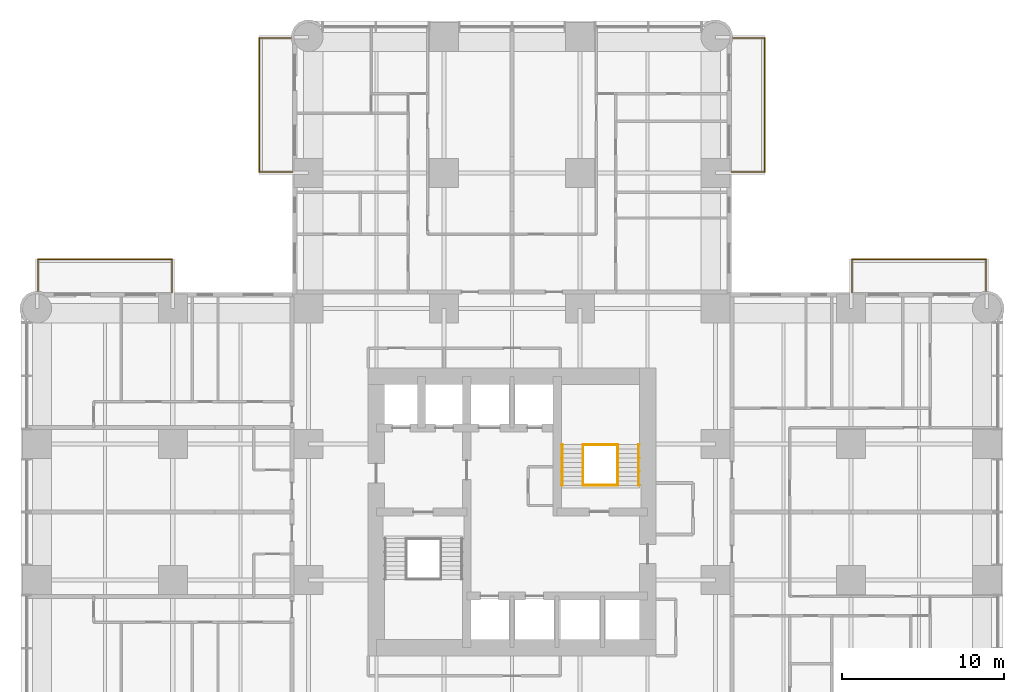
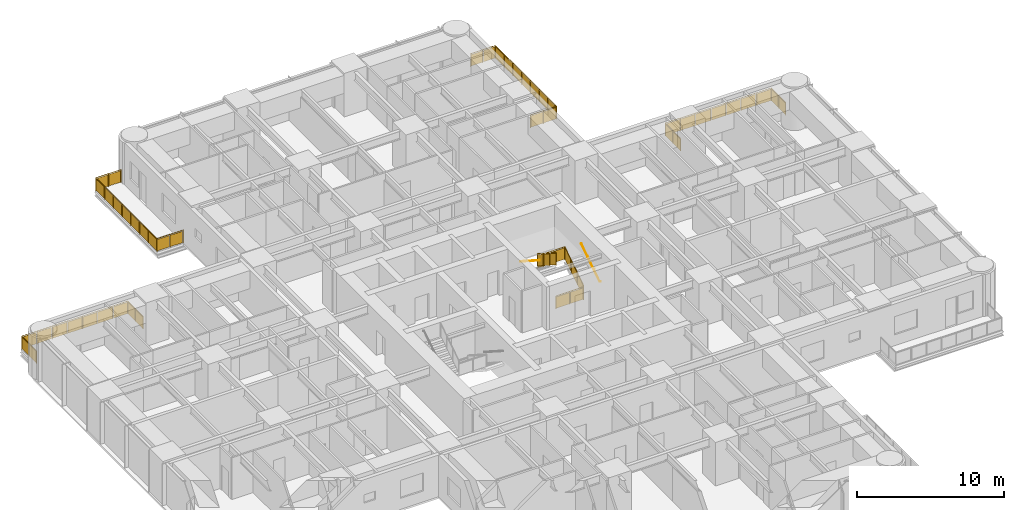
# One storey, part 17 of 17: 10 railings.
"""IFC4 building model written with IfcOpenShell, lengths in metres."""

from ifc_helpers import new_model, si_unit, direction, frame, origin, origin_2d, place, context, subcontext, project, spatial, polyline, circle, outline, extrude, material, constituent, constituent_set, type_object, element, save


model = new_model("IFC4")

# Units and contexts
model_context = context("Model", 3, precision=1e-05, world=origin(), true_north=direction((0.0, 1.0)))
body_context = subcontext(model_context, "Body", "Model", "MODEL_VIEW")
ifc_project = project(units=[si_unit("LENGTHUNIT", "METRE"), si_unit("AREAUNIT", "SQUARE_METRE"), si_unit("VOLUMEUNIT", "CUBIC_METRE"), si_unit("PLANEANGLEUNIT", "RADIAN"), si_unit("MASSUNIT", "GRAM", prefix="KILO")], contexts=[model_context])

# Site, building, storey
site_placement = place(None, origin())
site = spatial("IfcSite", under=ifc_project, at=site_placement, CompositionType="ELEMENT")
building_placement = place(site_placement, origin())
building = spatial("IfcBuilding", under=site, at=building_placement, Name="Torre Alcanfor", CompositionType="ELEMENT")
storey_placement = place(building_placement, frame((0.0, 0.0, 81.300048828125)))
storey = spatial("IfcBuildingStorey", under=building, at=storey_placement, Name="L20", CompositionType="ELEMENT", Elevation=81.300048828125)

# Railings
ifc_material_1 = material(Name="Laminated safety glass", Category="glass")
ifc_constituent_1 = constituent(ifc_material_1, Name="Infill")
ifc_material_2 = material(Name="Stainless steel ASTM A554 Grade MT 316L tube", Category="steel")
ifc_constituent_2 = constituent(ifc_material_2, Name="Posts and rail")
ifc_constituent_set = constituent_set(constituents=[ifc_constituent_1, ifc_constituent_2], Name="Balcony guard glass 1100")
railing_type_1 = type_object("IfcRailingType", Name="Balcony guard glass 1100", PredefinedType="BALUSTRADE", material=ifc_constituent_set)
railing_1_placement = place(storey_placement, frame((15.800048828125, 50.449951171875, 0.0)))
element("IfcRailing", 1, at=railing_1_placement, inside=storey, type_object=railing_type_1, Name="Balcony guard L20-N1", PredefinedType="BALUSTRADE", context=body_context, shape_type="SweptSolid", body=[
    extrude(circle(Radius=0.02392578125, at=origin_2d()), frame((0.0, 0.0, 1.076171875), z_axis=(-1.0, 0.0, 0.0), x_axis=(0.0, -1.0, 0.0)), (0.0, 0.0, 1.0), 2.050048828125),
    extrude(circle(Radius=0.02392578125, at=origin_2d()), frame((-2.050048828125, 0.0, 1.076171875), z_axis=(0.0, 1.0, 0.0), x_axis=(-1.0, 0.0, 0.0)), (0.0, 0.0, 1.0), 8.300048828125),
    extrude(circle(Radius=0.02392578125, at=origin_2d()), frame((-2.050048828125, 8.300048828125, 1.076171875), z_axis=(1.0, 0.0, 0.0), x_axis=(0.0, 1.0, 0.0)), (0.0, 0.0, 1.0), 1.968994140625),
    extrude(circle(Radius=0.02099609375, at=origin_2d()), origin(), (0.0, 0.0, 1.0), 1.052001953125),
    extrude(circle(Radius=0.02099609375, at=origin_2d()), frame((-1.02490234375, 0.0, 0.0)), (0.0, 0.0, 1.0), 1.052001953125),
    extrude(circle(Radius=0.02099609375, at=origin_2d()), frame((-2.050048828125, 0.0, 0.0)), (0.0, 0.0, 1.0), 1.052001953125),
    extrude(circle(Radius=0.02099609375, at=origin_2d()), frame((-2.050048828125, 1.185791015625, 0.0)), (0.0, 0.0, 1.0), 1.052001953125),
    extrude(circle(Radius=0.02099609375, at=origin_2d()), frame((-2.050048828125, 2.371337890625, 0.0)), (0.0, 0.0, 1.0), 1.052001953125),
    extrude(circle(Radius=0.02099609375, at=origin_2d()), frame((-2.050048828125, 3.55712890625, 0.0)), (0.0, 0.0, 1.0), 1.052001953125),
    extrude(circle(Radius=0.02099609375, at=origin_2d()), frame((-2.050048828125, 4.742919921875, 0.0)), (0.0, 0.0, 1.0), 1.052001953125),
    extrude(circle(Radius=0.02099609375, at=origin_2d()), frame((-2.050048828125, 5.9287109375, 0.0)), (0.0, 0.0, 1.0), 1.052001953125),
    extrude(circle(Radius=0.02099609375, at=origin_2d()), frame((-2.050048828125, 7.1142578125, 0.0)), (0.0, 0.0, 1.0), 1.052001953125),
    extrude(circle(Radius=0.02099609375, at=origin_2d()), frame((-2.050048828125, 8.300048828125, 0.0)), (0.0, 0.0, 1.0), 1.052001953125),
    extrude(circle(Radius=0.02099609375, at=origin_2d()), frame((-1.0654296875, 8.300048828125, 0.0)), (0.0, 0.0, 1.0), 1.052001953125),
    extrude(circle(Radius=0.02099609375, at=origin_2d()), frame((-0.0810546875, 8.300048828125, 0.0)), (0.0, 0.0, 1.0), 1.052001953125),
    extrude(outline(polyline([(0.041015625, 0.050048828125), (0.984130859375, 0.050048828125), (0.984130859375, 1.001953125), (0.041015625, 1.001953125), (0.041015625, 0.050048828125)])), frame((0.0, -0.005859375, 0.0), z_axis=(0.0, 1.0, 0.0), x_axis=(-1.0, 0.0, 0.0)), (0.0, 0.0, 1.0), 0.011962890625),
    extrude(outline(polyline([(1.06591796875, 0.050048828125), (2.009033203125, 0.050048828125), (2.009033203125, 1.001953125), (1.06591796875, 1.001953125), (1.06591796875, 0.050048828125)])), frame((0.0, -0.005859375, 0.0), z_axis=(0.0, 1.0, 0.0), x_axis=(-1.0, 0.0, 0.0)), (0.0, 0.0, 1.0), 0.011962890625),
    extrude(outline(polyline([(0.041015625, 0.050048828125), (1.144775390625, 0.050048828125), (1.144775390625, 1.001953125), (0.041015625, 1.001953125), (0.041015625, 0.050048828125)])), frame((-2.05615234375, 0.0, 0.0), z_axis=(1.0, 0.0, 0.0), x_axis=(0.0, 1.0, 0.0)), (0.0, 0.0, 1.0), 0.011962890625),
    extrude(outline(polyline([(1.226806640625, 0.050048828125), (2.330322265625, 0.050048828125), (2.330322265625, 1.001953125), (1.226806640625, 1.001953125), (1.226806640625, 0.050048828125)])), frame((-2.05615234375, 0.0, 0.0), z_axis=(1.0, 0.0, 0.0), x_axis=(0.0, 1.0, 0.0)), (0.0, 0.0, 1.0), 0.011962890625),
    extrude(outline(polyline([(2.412353515625, 0.050048828125), (3.51611328125, 0.050048828125), (3.51611328125, 1.001953125), (2.412353515625, 1.001953125), (2.412353515625, 0.050048828125)])), frame((-2.05615234375, 0.0, 0.0), z_axis=(1.0, 0.0, 0.0), x_axis=(0.0, 1.0, 0.0)), (0.0, 0.0, 1.0), 0.011962890625),
    extrude(outline(polyline([(3.59814453125, 0.050048828125), (4.701904296875, 0.050048828125), (4.701904296875, 1.001953125), (3.59814453125, 1.001953125), (3.59814453125, 0.050048828125)])), frame((-2.05615234375, 0.0, 0.0), z_axis=(1.0, 0.0, 0.0), x_axis=(0.0, 1.0, 0.0)), (0.0, 0.0, 1.0), 0.011962890625),
    extrude(outline(polyline([(4.783935546875, 0.050048828125), (5.8876953125, 0.050048828125), (5.8876953125, 1.001953125), (4.783935546875, 1.001953125), (4.783935546875, 0.050048828125)])), frame((-2.05615234375, 0.0, 0.0), z_axis=(1.0, 0.0, 0.0), x_axis=(0.0, 1.0, 0.0)), (0.0, 0.0, 1.0), 0.011962890625),
    extrude(outline(polyline([(5.9697265625, 0.050048828125), (7.0732421875, 0.050048828125), (7.0732421875, 1.001953125), (5.9697265625, 1.001953125), (5.9697265625, 0.050048828125)])), frame((-2.05615234375, 0.0, 0.0), z_axis=(1.0, 0.0, 0.0), x_axis=(0.0, 1.0, 0.0)), (0.0, 0.0, 1.0), 0.011962890625),
    extrude(outline(polyline([(7.1552734375, 0.050048828125), (8.259033203125, 0.050048828125), (8.259033203125, 1.001953125), (7.1552734375, 1.001953125), (7.1552734375, 0.050048828125)])), frame((-2.05615234375, 0.0, 0.0), z_axis=(1.0, 0.0, 0.0), x_axis=(0.0, 1.0, 0.0)), (0.0, 0.0, 1.0), 0.011962890625),
    extrude(outline(polyline([(0.041015625, 0.050048828125), (0.943603515625, 0.050048828125), (0.943603515625, 1.001953125), (0.041015625, 1.001953125), (0.041015625, 0.050048828125)])), frame((-2.050048828125, 8.30615234375, 0.0), z_axis=(0.0, -1.0, 0.0), x_axis=(1.0, 0.0, 0.0)), (0.0, 0.0, 1.0), 0.011962890625),
    extrude(outline(polyline([(1.025390625, 0.050048828125), (1.927978515625, 0.050048828125), (1.927978515625, 1.001953125), (1.025390625, 1.001953125), (1.025390625, 0.050048828125)])), frame((-2.050048828125, 8.30615234375, 0.0), z_axis=(0.0, -1.0, 0.0), x_axis=(1.0, 0.0, 0.0)), (0.0, 0.0, 1.0), 0.011962890625),
])
railing_2_placement = place(storey_placement, frame((43.0, 50.449951171875, 0.0)))
element("IfcRailing", 2, at=railing_2_placement, inside=storey, type_object=railing_type_1, Name="Balcony guard L20-N2", PredefinedType="BALUSTRADE", context=body_context, shape_type="SweptSolid", body=[
    extrude(circle(Radius=0.02392578125, at=origin_2d()), frame((0.0, 0.0, 1.076171875), z_axis=(1.0, 0.0, 0.0), x_axis=(0.0, 1.0, 0.0)), (0.0, 0.0, 1.0), 2.050048828125),
    extrude(circle(Radius=0.02392578125, at=origin_2d()), frame((2.050048828125, 0.0, 1.076171875), z_axis=(0.0, 1.0, 0.0), x_axis=(-1.0, 0.0, 0.0)), (0.0, 0.0, 1.0), 8.300048828125),
    extrude(circle(Radius=0.02392578125, at=origin_2d()), frame((2.050048828125, 8.300048828125, 1.076171875), z_axis=(-1.0, 0.0, 0.0), x_axis=(0.0, -1.0, 0.0)), (0.0, 0.0, 1.0), 1.968994140625),
    extrude(circle(Radius=0.02099609375, at=origin_2d()), origin(), (0.0, 0.0, 1.0), 1.052001953125),
    extrude(circle(Radius=0.02099609375, at=origin_2d()), frame((1.02490234375, 0.0, 0.0)), (0.0, 0.0, 1.0), 1.052001953125),
    extrude(circle(Radius=0.02099609375, at=origin_2d()), frame((2.050048828125, 0.0, 0.0)), (0.0, 0.0, 1.0), 1.052001953125),
    extrude(circle(Radius=0.02099609375, at=origin_2d()), frame((2.050048828125, 1.185791015625, 0.0)), (0.0, 0.0, 1.0), 1.052001953125),
    extrude(circle(Radius=0.02099609375, at=origin_2d()), frame((2.050048828125, 2.371337890625, 0.0)), (0.0, 0.0, 1.0), 1.052001953125),
    extrude(circle(Radius=0.02099609375, at=origin_2d()), frame((2.050048828125, 3.55712890625, 0.0)), (0.0, 0.0, 1.0), 1.052001953125),
    extrude(circle(Radius=0.02099609375, at=origin_2d()), frame((2.050048828125, 4.742919921875, 0.0)), (0.0, 0.0, 1.0), 1.052001953125),
    extrude(circle(Radius=0.02099609375, at=origin_2d()), frame((2.050048828125, 5.9287109375, 0.0)), (0.0, 0.0, 1.0), 1.052001953125),
    extrude(circle(Radius=0.02099609375, at=origin_2d()), frame((2.050048828125, 7.1142578125, 0.0)), (0.0, 0.0, 1.0), 1.052001953125),
    extrude(circle(Radius=0.02099609375, at=origin_2d()), frame((2.050048828125, 8.300048828125, 0.0)), (0.0, 0.0, 1.0), 1.052001953125),
    extrude(circle(Radius=0.02099609375, at=origin_2d()), frame((1.0654296875, 8.300048828125, 0.0)), (0.0, 0.0, 1.0), 1.052001953125),
    extrude(circle(Radius=0.02099609375, at=origin_2d()), frame((0.0810546875, 8.300048828125, 0.0)), (0.0, 0.0, 1.0), 1.052001953125),
    extrude(outline(polyline([(0.041015625, 0.050048828125), (0.984130859375, 0.050048828125), (0.984130859375, 1.001953125), (0.041015625, 1.001953125), (0.041015625, 0.050048828125)])), frame((0.0, 0.005859375, 0.0), z_axis=(0.0, -1.0, 0.0), x_axis=(1.0, 0.0, 0.0)), (0.0, 0.0, 1.0), 0.011962890625),
    extrude(outline(polyline([(1.06591796875, 0.050048828125), (2.009033203125, 0.050048828125), (2.009033203125, 1.001953125), (1.06591796875, 1.001953125), (1.06591796875, 0.050048828125)])), frame((0.0, 0.005859375, 0.0), z_axis=(0.0, -1.0, 0.0), x_axis=(1.0, 0.0, 0.0)), (0.0, 0.0, 1.0), 0.011962890625),
    extrude(outline(polyline([(0.041015625, 0.050048828125), (1.144775390625, 0.050048828125), (1.144775390625, 1.001953125), (0.041015625, 1.001953125), (0.041015625, 0.050048828125)])), frame((2.0439453125, 0.0, 0.0), z_axis=(1.0, 0.0, 0.0), x_axis=(0.0, 1.0, 0.0)), (0.0, 0.0, 1.0), 0.011962890625),
    extrude(outline(polyline([(1.226806640625, 0.050048828125), (2.330322265625, 0.050048828125), (2.330322265625, 1.001953125), (1.226806640625, 1.001953125), (1.226806640625, 0.050048828125)])), frame((2.0439453125, 0.0, 0.0), z_axis=(1.0, 0.0, 0.0), x_axis=(0.0, 1.0, 0.0)), (0.0, 0.0, 1.0), 0.011962890625),
    extrude(outline(polyline([(2.412353515625, 0.050048828125), (3.51611328125, 0.050048828125), (3.51611328125, 1.001953125), (2.412353515625, 1.001953125), (2.412353515625, 0.050048828125)])), frame((2.0439453125, 0.0, 0.0), z_axis=(1.0, 0.0, 0.0), x_axis=(0.0, 1.0, 0.0)), (0.0, 0.0, 1.0), 0.011962890625),
    extrude(outline(polyline([(3.59814453125, 0.050048828125), (4.701904296875, 0.050048828125), (4.701904296875, 1.001953125), (3.59814453125, 1.001953125), (3.59814453125, 0.050048828125)])), frame((2.0439453125, 0.0, 0.0), z_axis=(1.0, 0.0, 0.0), x_axis=(0.0, 1.0, 0.0)), (0.0, 0.0, 1.0), 0.011962890625),
    extrude(outline(polyline([(4.783935546875, 0.050048828125), (5.8876953125, 0.050048828125), (5.8876953125, 1.001953125), (4.783935546875, 1.001953125), (4.783935546875, 0.050048828125)])), frame((2.0439453125, 0.0, 0.0), z_axis=(1.0, 0.0, 0.0), x_axis=(0.0, 1.0, 0.0)), (0.0, 0.0, 1.0), 0.011962890625),
    extrude(outline(polyline([(5.9697265625, 0.050048828125), (7.0732421875, 0.050048828125), (7.0732421875, 1.001953125), (5.9697265625, 1.001953125), (5.9697265625, 0.050048828125)])), frame((2.0439453125, 0.0, 0.0), z_axis=(1.0, 0.0, 0.0), x_axis=(0.0, 1.0, 0.0)), (0.0, 0.0, 1.0), 0.011962890625),
    extrude(outline(polyline([(7.1552734375, 0.050048828125), (8.259033203125, 0.050048828125), (8.259033203125, 1.001953125), (7.1552734375, 1.001953125), (7.1552734375, 0.050048828125)])), frame((2.0439453125, 0.0, 0.0), z_axis=(1.0, 0.0, 0.0), x_axis=(0.0, 1.0, 0.0)), (0.0, 0.0, 1.0), 0.011962890625),
    extrude(outline(polyline([(0.041015625, 0.050048828125), (0.943603515625, 0.050048828125), (0.943603515625, 1.001953125), (0.041015625, 1.001953125), (0.041015625, 0.050048828125)])), frame((2.050048828125, 8.2939453125, 0.0), z_axis=(0.0, 1.0, 0.0), x_axis=(-1.0, 0.0, 0.0)), (0.0, 0.0, 1.0), 0.011962890625),
    extrude(outline(polyline([(1.025390625, 0.050048828125), (1.927978515625, 0.050048828125), (1.927978515625, 1.001953125), (1.025390625, 1.001953125), (1.025390625, 0.050048828125)])), frame((2.050048828125, 8.2939453125, 0.0), z_axis=(0.0, 1.0, 0.0), x_axis=(-1.0, 0.0, 0.0)), (0.0, 0.0, 1.0), 0.011962890625),
])
railing_3_placement = place(storey_placement, frame((50.449951171875, 43.0, 0.0)))
element("IfcRailing", 3, at=railing_3_placement, inside=storey, type_object=railing_type_1, Name="Balcony guard L20-E1", PredefinedType="BALUSTRADE", context=body_context, shape_type="SweptSolid", body=[
    extrude(circle(Radius=0.02392578125, at=origin_2d()), frame((0.0, 0.0, 1.076171875), z_axis=(0.0, 1.0, 0.0), x_axis=(-1.0, 0.0, 0.0)), (0.0, 0.0, 1.0), 2.050048828125),
    extrude(circle(Radius=0.02392578125, at=origin_2d()), frame((0.0, 2.050048828125, 1.076171875), z_axis=(1.0, 0.0, 0.0), x_axis=(0.0, 1.0, 0.0)), (0.0, 0.0, 1.0), 8.300048828125),
    extrude(circle(Radius=0.02392578125, at=origin_2d()), frame((8.300048828125, 2.050048828125, 1.076171875), z_axis=(0.0, -1.0, 0.0), x_axis=(1.0, 0.0, 0.0)), (0.0, 0.0, 1.0), 1.968994140625),
    extrude(circle(Radius=0.02099609375, at=origin_2d()), origin(), (0.0, 0.0, 1.0), 1.052001953125),
    extrude(circle(Radius=0.02099609375, at=origin_2d()), frame((0.0, 1.02490234375, 0.0)), (0.0, 0.0, 1.0), 1.052001953125),
    extrude(circle(Radius=0.02099609375, at=origin_2d()), frame((0.0, 2.050048828125, 0.0)), (0.0, 0.0, 1.0), 1.052001953125),
    extrude(circle(Radius=0.02099609375, at=origin_2d()), frame((1.185791015625, 2.050048828125, 0.0)), (0.0, 0.0, 1.0), 1.052001953125),
    extrude(circle(Radius=0.02099609375, at=origin_2d()), frame((2.371337890625, 2.050048828125, 0.0)), (0.0, 0.0, 1.0), 1.052001953125),
    extrude(circle(Radius=0.02099609375, at=origin_2d()), frame((3.55712890625, 2.050048828125, 0.0)), (0.0, 0.0, 1.0), 1.052001953125),
    extrude(circle(Radius=0.02099609375, at=origin_2d()), frame((4.742919921875, 2.050048828125, 0.0)), (0.0, 0.0, 1.0), 1.052001953125),
    extrude(circle(Radius=0.02099609375, at=origin_2d()), frame((5.9287109375, 2.050048828125, 0.0)), (0.0, 0.0, 1.0), 1.052001953125),
    extrude(circle(Radius=0.02099609375, at=origin_2d()), frame((7.1142578125, 2.050048828125, 0.0)), (0.0, 0.0, 1.0), 1.052001953125),
    extrude(circle(Radius=0.02099609375, at=origin_2d()), frame((8.300048828125, 2.050048828125, 0.0)), (0.0, 0.0, 1.0), 1.052001953125),
    extrude(circle(Radius=0.02099609375, at=origin_2d()), frame((8.300048828125, 1.0654296875, 0.0)), (0.0, 0.0, 1.0), 1.052001953125),
    extrude(circle(Radius=0.02099609375, at=origin_2d()), frame((8.300048828125, 0.0810546875, 0.0)), (0.0, 0.0, 1.0), 1.052001953125),
    extrude(outline(polyline([(0.041015625, 0.050048828125), (0.984130859375, 0.050048828125), (0.984130859375, 1.001953125), (0.041015625, 1.001953125), (0.041015625, 0.050048828125)])), frame((-0.005859375, 0.0, 0.0), z_axis=(1.0, 0.0, 0.0), x_axis=(0.0, 1.0, 0.0)), (0.0, 0.0, 1.0), 0.011962890625),
    extrude(outline(polyline([(1.06591796875, 0.050048828125), (2.009033203125, 0.050048828125), (2.009033203125, 1.001953125), (1.06591796875, 1.001953125), (1.06591796875, 0.050048828125)])), frame((-0.005859375, 0.0, 0.0), z_axis=(1.0, 0.0, 0.0), x_axis=(0.0, 1.0, 0.0)), (0.0, 0.0, 1.0), 0.011962890625),
    extrude(outline(polyline([(0.041015625, 0.050048828125), (1.144775390625, 0.050048828125), (1.144775390625, 1.001953125), (0.041015625, 1.001953125), (0.041015625, 0.050048828125)])), frame((0.0, 2.05615234375, 0.0), z_axis=(0.0, -1.0, 0.0), x_axis=(1.0, 0.0, 0.0)), (0.0, 0.0, 1.0), 0.011962890625),
    extrude(outline(polyline([(1.226806640625, 0.050048828125), (2.330322265625, 0.050048828125), (2.330322265625, 1.001953125), (1.226806640625, 1.001953125), (1.226806640625, 0.050048828125)])), frame((0.0, 2.05615234375, 0.0), z_axis=(0.0, -1.0, 0.0), x_axis=(1.0, 0.0, 0.0)), (0.0, 0.0, 1.0), 0.011962890625),
    extrude(outline(polyline([(2.412353515625, 0.050048828125), (3.51611328125, 0.050048828125), (3.51611328125, 1.001953125), (2.412353515625, 1.001953125), (2.412353515625, 0.050048828125)])), frame((0.0, 2.05615234375, 0.0), z_axis=(0.0, -1.0, 0.0), x_axis=(1.0, 0.0, 0.0)), (0.0, 0.0, 1.0), 0.011962890625),
    extrude(outline(polyline([(3.59814453125, 0.050048828125), (4.701904296875, 0.050048828125), (4.701904296875, 1.001953125), (3.59814453125, 1.001953125), (3.59814453125, 0.050048828125)])), frame((0.0, 2.05615234375, 0.0), z_axis=(0.0, -1.0, 0.0), x_axis=(1.0, 0.0, 0.0)), (0.0, 0.0, 1.0), 0.011962890625),
    extrude(outline(polyline([(4.783935546875, 0.050048828125), (5.8876953125, 0.050048828125), (5.8876953125, 1.001953125), (4.783935546875, 1.001953125), (4.783935546875, 0.050048828125)])), frame((0.0, 2.05615234375, 0.0), z_axis=(0.0, -1.0, 0.0), x_axis=(1.0, 0.0, 0.0)), (0.0, 0.0, 1.0), 0.011962890625),
    extrude(outline(polyline([(5.9697265625, 0.050048828125), (7.0732421875, 0.050048828125), (7.0732421875, 1.001953125), (5.9697265625, 1.001953125), (5.9697265625, 0.050048828125)])), frame((0.0, 2.05615234375, 0.0), z_axis=(0.0, -1.0, 0.0), x_axis=(1.0, 0.0, 0.0)), (0.0, 0.0, 1.0), 0.011962890625),
    extrude(outline(polyline([(7.1552734375, 0.050048828125), (8.259033203125, 0.050048828125), (8.259033203125, 1.001953125), (7.1552734375, 1.001953125), (7.1552734375, 0.050048828125)])), frame((0.0, 2.05615234375, 0.0), z_axis=(0.0, -1.0, 0.0), x_axis=(1.0, 0.0, 0.0)), (0.0, 0.0, 1.0), 0.011962890625),
    extrude(outline(polyline([(0.041015625, 0.050048828125), (0.943603515625, 0.050048828125), (0.943603515625, 1.001953125), (0.041015625, 1.001953125), (0.041015625, 0.050048828125)])), frame((8.30615234375, 2.050048828125, 0.0), z_axis=(-1.0, 0.0, 0.0), x_axis=(0.0, -1.0, 0.0)), (0.0, 0.0, 1.0), 0.011962890625),
    extrude(outline(polyline([(1.025390625, 0.050048828125), (1.927978515625, 0.050048828125), (1.927978515625, 1.001953125), (1.025390625, 1.001953125), (1.025390625, 0.050048828125)])), frame((8.30615234375, 2.050048828125, 0.0), z_axis=(-1.0, 0.0, 0.0), x_axis=(0.0, -1.0, 0.0)), (0.0, 0.0, 1.0), 0.011962890625),
])
railing_4_placement = place(storey_placement, frame((8.35009765625, 43.0, 0.0)))
element("IfcRailing", 4, at=railing_4_placement, inside=storey, type_object=railing_type_1, Name="Balcony guard L20-W2", PredefinedType="BALUSTRADE", context=body_context, shape_type="SweptSolid", body=[
    extrude(circle(Radius=0.02392578125, at=origin_2d()), frame((0.0, 0.0, 1.076171875), z_axis=(0.0, 1.0, 0.0), x_axis=(-1.0, 0.0, 0.0)), (0.0, 0.0, 1.0), 2.050048828125),
    extrude(circle(Radius=0.02392578125, at=origin_2d()), frame((0.0, 2.050048828125, 1.076171875), z_axis=(-1.0, 0.0, 0.0), x_axis=(0.0, -1.0, 0.0)), (0.0, 0.0, 1.0), 8.300048828125),
    extrude(circle(Radius=0.02392578125, at=origin_2d()), frame((-8.300048828125, 2.050048828125, 1.076171875), z_axis=(0.0, -1.0, 0.0), x_axis=(1.0, 0.0, 0.0)), (0.0, 0.0, 1.0), 1.968994140625),
    extrude(circle(Radius=0.02099609375, at=origin_2d()), origin(), (0.0, 0.0, 1.0), 1.052001953125),
    extrude(circle(Radius=0.02099609375, at=origin_2d()), frame((0.0, 1.02490234375, 0.0)), (0.0, 0.0, 1.0), 1.052001953125),
    extrude(circle(Radius=0.02099609375, at=origin_2d()), frame((0.0, 2.050048828125, 0.0)), (0.0, 0.0, 1.0), 1.052001953125),
    extrude(circle(Radius=0.02099609375, at=origin_2d()), frame((-1.185791015625, 2.050048828125, 0.0)), (0.0, 0.0, 1.0), 1.052001953125),
    extrude(circle(Radius=0.02099609375, at=origin_2d()), frame((-2.371337890625, 2.050048828125, 0.0)), (0.0, 0.0, 1.0), 1.052001953125),
    extrude(circle(Radius=0.02099609375, at=origin_2d()), frame((-3.55712890625, 2.050048828125, 0.0)), (0.0, 0.0, 1.0), 1.052001953125),
    extrude(circle(Radius=0.02099609375, at=origin_2d()), frame((-4.742919921875, 2.050048828125, 0.0)), (0.0, 0.0, 1.0), 1.052001953125),
    extrude(circle(Radius=0.02099609375, at=origin_2d()), frame((-5.9287109375, 2.050048828125, 0.0)), (0.0, 0.0, 1.0), 1.052001953125),
    extrude(circle(Radius=0.02099609375, at=origin_2d()), frame((-7.1142578125, 2.050048828125, 0.0)), (0.0, 0.0, 1.0), 1.052001953125),
    extrude(circle(Radius=0.02099609375, at=origin_2d()), frame((-8.300048828125, 2.050048828125, 0.0)), (0.0, 0.0, 1.0), 1.052001953125),
    extrude(circle(Radius=0.02099609375, at=origin_2d()), frame((-8.300048828125, 1.0654296875, 0.0)), (0.0, 0.0, 1.0), 1.052001953125),
    extrude(circle(Radius=0.02099609375, at=origin_2d()), frame((-8.300048828125, 0.0810546875, 0.0)), (0.0, 0.0, 1.0), 1.052001953125),
    extrude(outline(polyline([(0.041015625, 0.050048828125), (0.984130859375, 0.050048828125), (0.984130859375, 1.001953125), (0.041015625, 1.001953125), (0.041015625, 0.050048828125)])), frame((-0.005859375, 0.0, 0.0), z_axis=(1.0, 0.0, 0.0), x_axis=(0.0, 1.0, 0.0)), (0.0, 0.0, 1.0), 0.011962890625),
    extrude(outline(polyline([(1.06591796875, 0.050048828125), (2.009033203125, 0.050048828125), (2.009033203125, 1.001953125), (1.06591796875, 1.001953125), (1.06591796875, 0.050048828125)])), frame((-0.005859375, 0.0, 0.0), z_axis=(1.0, 0.0, 0.0), x_axis=(0.0, 1.0, 0.0)), (0.0, 0.0, 1.0), 0.011962890625),
    extrude(outline(polyline([(0.041015625, 0.050048828125), (1.144775390625, 0.050048828125), (1.144775390625, 1.001953125), (0.041015625, 1.001953125), (0.041015625, 0.050048828125)])), frame((0.0, 2.0439453125, 0.0), z_axis=(0.0, 1.0, 0.0), x_axis=(-1.0, 0.0, 0.0)), (0.0, 0.0, 1.0), 0.011962890625),
    extrude(outline(polyline([(1.226806640625, 0.050048828125), (2.330322265625, 0.050048828125), (2.330322265625, 1.001953125), (1.226806640625, 1.001953125), (1.226806640625, 0.050048828125)])), frame((0.0, 2.0439453125, 0.0), z_axis=(0.0, 1.0, 0.0), x_axis=(-1.0, 0.0, 0.0)), (0.0, 0.0, 1.0), 0.011962890625),
    extrude(outline(polyline([(2.412353515625, 0.050048828125), (3.51611328125, 0.050048828125), (3.51611328125, 1.001953125), (2.412353515625, 1.001953125), (2.412353515625, 0.050048828125)])), frame((0.0, 2.0439453125, 0.0), z_axis=(0.0, 1.0, 0.0), x_axis=(-1.0, 0.0, 0.0)), (0.0, 0.0, 1.0), 0.011962890625),
    extrude(outline(polyline([(3.59814453125, 0.050048828125), (4.701904296875, 0.050048828125), (4.701904296875, 1.001953125), (3.59814453125, 1.001953125), (3.59814453125, 0.050048828125)])), frame((0.0, 2.0439453125, 0.0), z_axis=(0.0, 1.0, 0.0), x_axis=(-1.0, 0.0, 0.0)), (0.0, 0.0, 1.0), 0.011962890625),
    extrude(outline(polyline([(4.783935546875, 0.050048828125), (5.8876953125, 0.050048828125), (5.8876953125, 1.001953125), (4.783935546875, 1.001953125), (4.783935546875, 0.050048828125)])), frame((0.0, 2.0439453125, 0.0), z_axis=(0.0, 1.0, 0.0), x_axis=(-1.0, 0.0, 0.0)), (0.0, 0.0, 1.0), 0.011962890625),
    extrude(outline(polyline([(5.9697265625, 0.050048828125), (7.0732421875, 0.050048828125), (7.0732421875, 1.001953125), (5.9697265625, 1.001953125), (5.9697265625, 0.050048828125)])), frame((0.0, 2.0439453125, 0.0), z_axis=(0.0, 1.0, 0.0), x_axis=(-1.0, 0.0, 0.0)), (0.0, 0.0, 1.0), 0.011962890625),
    extrude(outline(polyline([(7.1552734375, 0.050048828125), (8.259033203125, 0.050048828125), (8.259033203125, 1.001953125), (7.1552734375, 1.001953125), (7.1552734375, 0.050048828125)])), frame((0.0, 2.0439453125, 0.0), z_axis=(0.0, 1.0, 0.0), x_axis=(-1.0, 0.0, 0.0)), (0.0, 0.0, 1.0), 0.011962890625),
    extrude(outline(polyline([(0.041015625, 0.050048828125), (0.943603515625, 0.050048828125), (0.943603515625, 1.001953125), (0.041015625, 1.001953125), (0.041015625, 0.050048828125)])), frame((-8.2939453125, 2.050048828125, 0.0), z_axis=(-1.0, 0.0, 0.0), x_axis=(0.0, -1.0, 0.0)), (0.0, 0.0, 1.0), 0.011962890625),
    extrude(outline(polyline([(1.025390625, 0.050048828125), (1.927978515625, 0.050048828125), (1.927978515625, 1.001953125), (1.025390625, 1.001953125), (1.025390625, 0.050048828125)])), frame((-8.2939453125, 2.050048828125, 0.0), z_axis=(-1.0, 0.0, 0.0), x_axis=(0.0, -1.0, 0.0)), (0.0, 0.0, 1.0), 0.011962890625),
])
ifc_material_3 = material(Name="Steel ASTM A500 Grade C hollow sections", Category="steel")
railing_type_2 = type_object("IfcRailingType", Name="Stair guard and handrail 1100", PredefinedType="GUARDRAIL", material=ifc_material_3)
railing_5_placement = place(storey_placement, frame((35.949951171875, 31.050048828125, 0.179931640625)))
element("IfcRailing", 5, at=railing_5_placement, inside=storey, type_object=railing_type_2, Name="Stair guard S2 L20 flight 1", PredefinedType="GUARDRAIL", context=body_context, shape_type="SweptSolid", body=[
    extrude(circle(Radius=0.02392578125, at=origin_2d()), frame((0.0, 0.0, 1.076171875), z_axis=(0.0, 0.841162588446, 0.540782303519), x_axis=(-1.0, 0.0, 0.0)), (0.0, 0.0, 1.0), 2.995849609375),
    extrude(circle(Radius=0.02099609375, at=origin_2d()), origin(), (0.0, 0.0, 1.0), 1.052001953125),
    extrude(circle(Radius=0.02099609375, at=origin_2d()), frame((0.0, 0.840087890625, 0.5400390625)), (0.0, 0.0, 1.0), 1.052001953125),
    extrude(circle(Radius=0.02099609375, at=origin_2d()), frame((0.0, 1.679931640625, 1.080078125)), (0.0, 0.0, 1.0), 1.052001953125),
    extrude(circle(Radius=0.02099609375, at=origin_2d()), frame((0.0, 2.52001953125, 1.6201171875)), (0.0, 0.0, 1.0), 1.052001953125),
    extrude(outline(polyline([(0.041015625, 0.076416015625), (0.799072265625, 0.563720703125), (0.799072265625, 1.515625), (0.041015625, 1.0283203125), (0.041015625, 0.076416015625)])), frame((-0.005859375, 0.0, 0.0), z_axis=(1.0, 0.0, 0.0), x_axis=(0.0, 1.0, 0.0)), (0.0, 0.0, 1.0), 0.011962890625),
    extrude(outline(polyline([(0.881103515625, 0.616455078125), (1.638916015625, 1.103759765625), (1.638916015625, 2.0556640625), (0.881103515625, 1.568359375), (0.881103515625, 0.616455078125)])), frame((-0.005859375, 0.0, 0.0), z_axis=(1.0, 0.0, 0.0), x_axis=(0.0, 1.0, 0.0)), (0.0, 0.0, 1.0), 0.011962890625),
    extrude(outline(polyline([(1.720947265625, 1.156494140625), (2.47900390625, 1.643798828125), (2.47900390625, 2.595703125), (1.720947265625, 2.1083984375), (1.720947265625, 1.156494140625)])), frame((-0.005859375, 0.0, 0.0), z_axis=(1.0, 0.0, 0.0), x_axis=(0.0, 1.0, 0.0)), (0.0, 0.0, 1.0), 0.011962890625),
])
railing_6_placement = place(storey_placement, frame((33.800048828125, 33.570068359375, 1.97998046875)))
element("IfcRailing", 6, at=railing_6_placement, inside=storey, type_object=railing_type_2, Name="Stair guard S2 L20 flight 2", PredefinedType="GUARDRAIL", context=body_context, shape_type="SweptSolid", body=[
    extrude(circle(Radius=0.02392578125, at=origin_2d()), frame((0.0, 0.0, 1.076171875), z_axis=(0.0, -0.841199657755, 0.540724639528), x_axis=(1.0, 0.0, 0.0)), (0.0, 0.0, 1.0), 2.995849609375),
    extrude(circle(Radius=0.02099609375, at=origin_2d()), origin(), (0.0, 0.0, 1.0), 1.052001953125),
    extrude(circle(Radius=0.02099609375, at=origin_2d()), frame((0.0, -0.840087890625, 0.5400390625)), (0.0, 0.0, 1.0), 1.052001953125),
    extrude(circle(Radius=0.02099609375, at=origin_2d()), frame((0.0, -1.679931640625, 1.079833984375)), (0.0, 0.0, 1.0), 1.052001953125),
    extrude(circle(Radius=0.02099609375, at=origin_2d()), frame((0.0, -2.52001953125, 1.619873046875)), (0.0, 0.0, 1.0), 1.052001953125),
    extrude(outline(polyline([(0.041015625, 0.076416015625), (0.799072265625, 0.563720703125), (0.799072265625, 1.515625), (0.041015625, 1.0283203125), (0.041015625, 0.076416015625)])), frame((0.005859375, 0.0, 0.0), z_axis=(-1.0, 0.0, 0.0), x_axis=(0.0, -1.0, 0.0)), (0.0, 0.0, 1.0), 0.011962890625),
    extrude(outline(polyline([(0.881103515625, 0.6162109375), (1.638916015625, 1.103515625), (1.638916015625, 2.0556640625), (0.881103515625, 1.568359375), (0.881103515625, 0.6162109375)])), frame((0.005859375, 0.0, 0.0), z_axis=(-1.0, 0.0, 0.0), x_axis=(0.0, -1.0, 0.0)), (0.0, 0.0, 1.0), 0.011962890625),
    extrude(outline(polyline([(1.720947265625, 1.15625), (2.47900390625, 1.6435546875), (2.47900390625, 2.595458984375), (1.720947265625, 2.108154296875), (1.720947265625, 1.15625)])), frame((0.005859375, 0.0, 0.0), z_axis=(-1.0, 0.0, 0.0), x_axis=(0.0, -1.0, 0.0)), (0.0, 0.0, 1.0), 0.011962890625),
])
for number, where, name in (
    (7, (33.800048828125, 31.050048828125, 0.0), "Stair well guard S2 L20 floor landing"),
    (8, (33.800048828125, 33.570068359375, 1.800048828125), "Stair well guard S2 L20 half landing"),
):
    element("IfcRailing", number, at=place(storey_placement, frame(where)), inside=storey, type_object=railing_type_2, Name=name, PredefinedType="GUARDRAIL", context=body_context, shape_type="SweptSolid", body=[
        extrude(circle(Radius=0.02392578125, at=origin_2d()), frame((0.0, 0.0, 1.076171875), z_axis=(1.0, 0.0, 0.0), x_axis=(0.0, 1.0, 0.0)), (0.0, 0.0, 1.0), 2.14990234375),
        extrude(circle(Radius=0.02099609375, at=origin_2d()), origin(), (0.0, 0.0, 1.0), 1.052001953125),
        extrude(circle(Radius=0.02099609375, at=origin_2d()), frame((1.074951171875, 0.0, 0.0)), (0.0, 0.0, 1.0), 1.052001953125),
        extrude(circle(Radius=0.02099609375, at=origin_2d()), frame((2.14990234375, 0.0, 0.0)), (0.0, 0.0, 1.0), 1.052001953125),
        extrude(outline(polyline([(0.041015625, 0.050048828125), (1.033935546875, 0.050048828125), (1.033935546875, 1.001953125), (0.041015625, 1.001953125), (0.041015625, 0.050048828125)])), frame((0.0, 0.005859375, 0.0), z_axis=(0.0, -1.0, 0.0), x_axis=(1.0, 0.0, 0.0)), (0.0, 0.0, 1.0), 0.011962890625),
        extrude(outline(polyline([(1.115966796875, 0.050048828125), (2.10888671875, 0.050048828125), (2.10888671875, 1.001953125), (1.115966796875, 1.001953125), (1.115966796875, 0.050048828125)])), frame((0.0, 0.005859375, 0.0), z_axis=(0.0, -1.0, 0.0), x_axis=(1.0, 0.0, 0.0)), (0.0, 0.0, 1.0), 0.011962890625),
    ])
ifc_material_4 = material(Name="Steel ASTM A500 Grade C hollow sections", Category="steel")
railing_type_3 = type_object("IfcRailingType", Name="Stair wall handrail 900", PredefinedType="HANDRAIL", material=ifc_material_4)
railing_7_placement = place(storey_placement, frame((37.235107421875, 31.050048828125, 0.179931640625)))
element("IfcRailing", 9, at=railing_7_placement, inside=storey, type_object=railing_type_3, Name="Stair handrail S2 L20 flight 1", PredefinedType="HANDRAIL", context=body_context, shape_type="SweptSolid", body=[
    extrude(circle(Radius=0.02392578125, at=origin_2d()), frame((0.0, 0.0, 0.8759765625), z_axis=(0.0, 0.841162588446, 0.540782303519), x_axis=(-1.0, 0.0, 0.0)), (0.0, 0.0, 1.0), 2.995849609375),
    extrude(circle(Radius=0.008056640625, at=origin_2d()), frame((0.0, 0.0, 0.8759765625), z_axis=(1.0, 0.0, 0.0), x_axis=(0.0, 0.0, 1.0)), (0.0, 0.0, 1.0), 0.06494140625),
    extrude(circle(Radius=0.008056640625, at=origin_2d()), frame((0.0, 0.840087890625, 1.416015625), z_axis=(1.0, 0.0, 0.0), x_axis=(0.0, 0.0, 1.0)), (0.0, 0.0, 1.0), 0.06494140625),
    extrude(circle(Radius=0.008056640625, at=origin_2d()), frame((0.0, 1.679931640625, 1.9560546875), z_axis=(1.0, 0.0, 0.0), x_axis=(0.0, 0.0, 1.0)), (0.0, 0.0, 1.0), 0.06494140625),
    extrude(circle(Radius=0.008056640625, at=origin_2d()), frame((0.0, 2.52001953125, 2.49609375), z_axis=(1.0, 0.0, 0.0), x_axis=(0.0, 0.0, 1.0)), (0.0, 0.0, 1.0), 0.06494140625),
])
railing_8_placement = place(storey_placement, frame((32.514892578125, 33.570068359375, 1.97998046875)))
element("IfcRailing", 10, at=railing_8_placement, inside=storey, type_object=railing_type_3, Name="Stair handrail S2 L20 flight 2", PredefinedType="HANDRAIL", context=body_context, shape_type="SweptSolid", body=[
    extrude(circle(Radius=0.02392578125, at=origin_2d()), frame((0.0, 0.0, 0.8759765625), z_axis=(0.0, -0.841199657755, 0.540724639528), x_axis=(1.0, 0.0, 0.0)), (0.0, 0.0, 1.0), 2.995849609375),
    extrude(circle(Radius=0.008056640625, at=origin_2d()), frame((0.0, 0.0, 0.8759765625), z_axis=(-1.0, 0.0, 0.0), x_axis=(0.0, 0.0, 1.0)), (0.0, 0.0, 1.0), 0.06494140625),
    extrude(circle(Radius=0.008056640625, at=origin_2d()), frame((0.0, -0.840087890625, 1.415771484375), z_axis=(-1.0, 0.0, 0.0), x_axis=(0.0, 0.0, 1.0)), (0.0, 0.0, 1.0), 0.06494140625),
    extrude(circle(Radius=0.008056640625, at=origin_2d()), frame((0.0, -1.679931640625, 1.955810546875), z_axis=(-1.0, 0.0, 0.0), x_axis=(0.0, 0.0, 1.0)), (0.0, 0.0, 1.0), 0.06494140625),
    extrude(circle(Radius=0.008056640625, at=origin_2d()), frame((0.0, -2.52001953125, 2.49560546875), z_axis=(-1.0, 0.0, 0.0), x_axis=(0.0, 0.0, 1.0)), (0.0, 0.0, 1.0), 0.06494140625),
])

save(model, "model.ifc")
